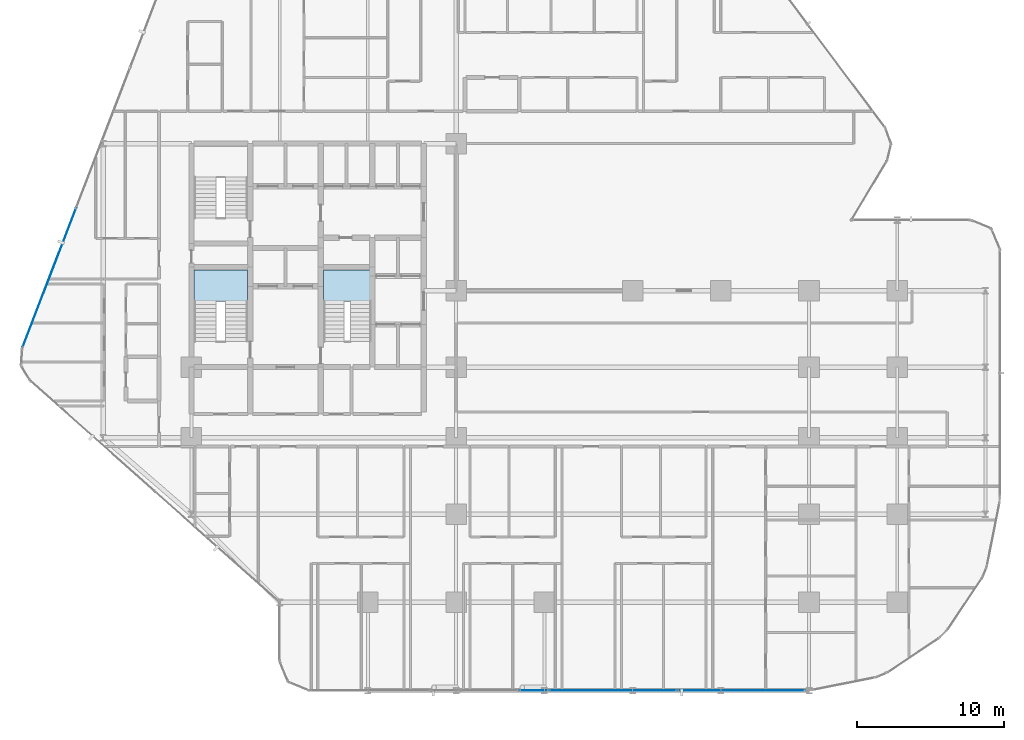
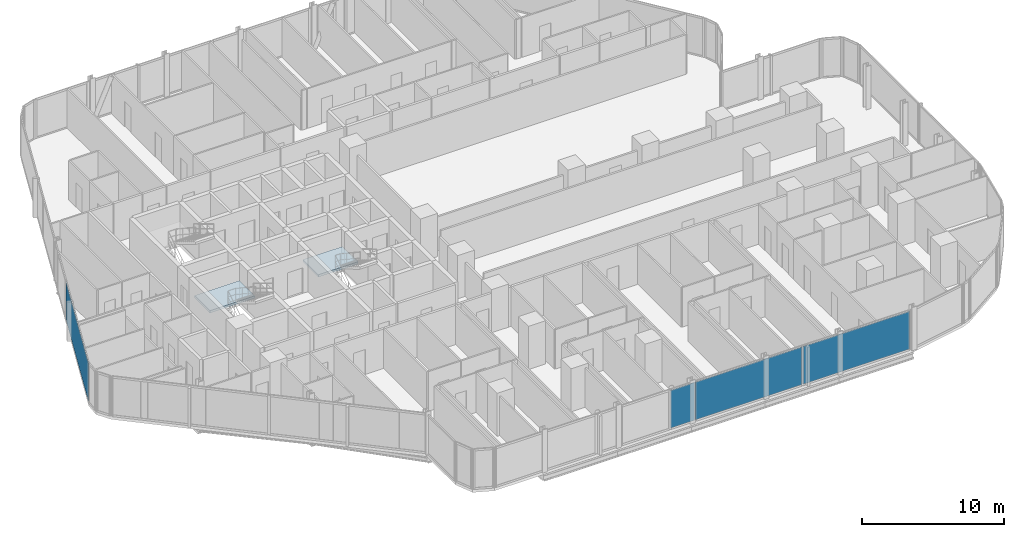
# One storey, part 21 of 35: 4 plates, 2 slabs, 5 elements without a shape of their own.
"""IFC4 building model written with IfcOpenShell, lengths in metres."""

from ifc_helpers import new_model, si_unit, direction, frame, origin, origin_2d, place, context, subcontext, project, spatial, polyline, rectangle, outline, extrude, material, layer, layer_set, type_object, element, aggregate, save


model = new_model("IFC4")

# Units and contexts
model_context = context("Model", 3, precision=1e-05, world=origin(), true_north=direction((0.0, 1.0)))
body_context = subcontext(model_context, "Body", "Model", "MODEL_VIEW")
ifc_project = project(units=[si_unit("LENGTHUNIT", "METRE"), si_unit("AREAUNIT", "SQUARE_METRE"), si_unit("VOLUMEUNIT", "CUBIC_METRE"), si_unit("PLANEANGLEUNIT", "RADIAN"), si_unit("MASSUNIT", "GRAM", prefix="KILO")], contexts=[model_context])

# Site, building, storey
site_placement = place(None, origin())
site = spatial("IfcSite", under=ifc_project, at=site_placement, CompositionType="ELEMENT")
building_placement = place(site_placement, origin())
building = spatial("IfcBuilding", under=site, at=building_placement, Name="Keshet Zoharim Tower", CompositionType="ELEMENT")
storey_placement = place(building_placement, frame((0.0, 0.0, 24.0)))
storey = spatial("IfcBuildingStorey", under=building, at=storey_placement, Name="L04", CompositionType="ELEMENT", Elevation=24.0)

# Curtain wall, plate
ifc_material_1 = material(Name="Aluminium 6063-T6", Category="aluminium")
ifc_layer_1 = layer(ifc_material_1, 0.179931640625)
ifc_layer_set_1 = layer_set([ifc_layer_1], Name="Aluminium 6063-T6")
curtain_wall_type = type_object("IfcCurtainWallType", Name="CW-SYS-01", PredefinedType="NOTDEFINED", material=ifc_layer_set_1)
curtain_wall_1_placement = place(storey_placement, origin())
curtain_wall_1 = element("IfcCurtainWall", 1, at=curtain_wall_1_placement, inside=storey, type_object=curtain_wall_type, Name="L04 Unitised Curtain Wall 04", PredefinedType="NOTDEFINED")
ifc_material_2 = material(Name="Insulated Low-E Clear Glass", Category="glass")
ifc_layer_2 = layer(ifc_material_2, 0.035888671875)
ifc_layer_set_2 = layer_set([ifc_layer_2], Name="Insulated Low-E Clear Glass")
plate_type_1 = type_object("IfcPlateType", Name="CWP-01", PredefinedType="CURTAIN_PANEL", material=ifc_layer_set_2)
plate_1_placement = place(storey_placement, frame((5.33837890625, 28.7802734375, 0.06982421875), z_axis=(0.0, 0.0, 1.0), x_axis=(0.358990003907, 0.933341404361, 0.0)))
plate_1 = element("IfcPlate", 2, at=plate_1_placement, type_object=plate_type_1, Name="CW-01 panel 1.1", PredefinedType="CURTAIN_PANEL", context=body_context, shape_type="SweptSolid", body=[
    extrude(rectangle(XDim=10.1181640625, YDim=0.035888671875, at=origin_2d()), origin(), (0.0, 0.0, 1.0), 3.2451171875),
])
aggregate(curtain_wall_1, [plate_1])

# Curtain wall, plates
curtain_wall_2_placement = place(storey_placement, origin())
curtain_wall_2 = element("IfcCurtainWall", 3, at=curtain_wall_2_placement, inside=storey, type_object=curtain_wall_type, Name="L04 Unitised Curtain Wall 26", PredefinedType="NOTDEFINED")
plate_2_placement = place(storey_placement, frame((52.400390625, 0.699951171875, 0.06982421875), z_axis=(0.0, 0.0, 1.0), x_axis=(-1.0, 0.0, 0.0)))
plate_2 = element("IfcPlate", 4, at=plate_2_placement, type_object=plate_type_1, Name="CW-01 panel 1.1", PredefinedType="CURTAIN_PANEL", context=body_context, shape_type="SweptSolid", body=[
    extrude(rectangle(XDim=8.665283203125, YDim=0.035888671875, at=origin_2d()), origin(), (0.0, 0.0, 1.0), 3.2451171875),
])
plate_3_placement = place(storey_placement, frame((43.665283203125, 0.699951171875, 0.06982421875), z_axis=(0.0, 0.0, 1.0), x_axis=(-1.0, 0.0, 0.0)))
plate_3 = element("IfcPlate", 5, at=plate_3_placement, type_object=plate_type_1, Name="CW-01 panel 2.1", PredefinedType="CURTAIN_PANEL", context=body_context, shape_type="SweptSolid", body=[
    extrude(rectangle(XDim=8.665283203125, YDim=0.035888671875, at=origin_2d()), origin(), (0.0, 0.0, 1.0), 3.2451171875),
])
aggregate(curtain_wall_2, [plate_2, plate_3])

# Curtain wall, plate
curtain_wall_3_placement = place(storey_placement, origin())
curtain_wall_3 = element("IfcCurtainWall", 6, at=curtain_wall_3_placement, inside=storey, type_object=curtain_wall_type, Name="L04 Unitised Curtain Wall 26 Part 2", PredefinedType="NOTDEFINED")
ifc_material_3 = material(Name="Insulated Aluminium Spandrel Panel", Category="aluminium")
ifc_layer_3 = layer(ifc_material_3, 0.035888671875)
ifc_layer_set_3 = layer_set([ifc_layer_3], Name="Insulated Aluminium Spandrel Panel")
plate_type_2 = type_object("IfcPlateType", Name="CWP-04", PredefinedType="CURTAIN_PANEL", material=ifc_layer_set_3)
plate_4_placement = place(storey_placement, frame((38.284912109375, 0.699951171875, 0.06982421875), z_axis=(0.0, 0.0, 1.0), x_axis=(-1.0, 0.0, 0.0)))
plate_4 = element("IfcPlate", 7, at=plate_4_placement, type_object=plate_type_2, Name="CW-01 spandrel panel 1.1", PredefinedType="CURTAIN_PANEL", context=body_context, shape_type="SweptSolid", body=[
    extrude(rectangle(XDim=1.955078125, YDim=0.035888671875, at=origin_2d()), origin(), (0.0, 0.0, 1.0), 3.2451171875),
])
aggregate(curtain_wall_3, [plate_4])

# Stair, slab
ifc_material_4 = material(Name="Concrete C50/60", Category="concrete")
stair_type = type_object("IfcStairType", Name="STR-EXIT-135", PredefinedType="HALF_TURN_STAIR", material=ifc_material_4)
stair_1_placement = place(storey_placement, origin())
stair_1 = element("IfcStair", 8, at=stair_1_placement, inside=storey, type_object=stair_type, Name="L04 Enclosed Exit Stair ST-01", PredefinedType="HALF_TURN_STAIR")
ifc_layer_4 = layer(ifc_material_4, 0.199951171875)
ifc_layer_set_4 = layer_set([ifc_layer_4], Name="Concrete C50/60")
slab_type = type_object("IfcSlabType", Name="SLB-LND-200", PredefinedType="LANDING", material=ifc_layer_set_4)
slab_1_placement = place(storey_placement, frame((0.0, 0.0, 1.64990234375)))
slab_1 = element("IfcSlab", 9, at=slab_1_placement, type_object=slab_type, Name="ST-01 landing 1", PredefinedType="LANDING", context=body_context, shape_type="SweptSolid", body=[
    extrude(outline(polyline([(15.179931640625, 27.159912109375), (18.820068359375, 27.159912109375), (18.820068359375, 29.320068359375), (15.179931640625, 29.320068359375), (15.179931640625, 27.159912109375)])), origin(), (0.0, 0.0, 1.0), 0.2001953125),
])
aggregate(stair_1, [slab_1])

stair_2_placement = place(storey_placement, origin())
stair_2 = element("IfcStair", 10, at=stair_2_placement, inside=storey, type_object=stair_type, Name="L04 Enclosed Exit Stair ST-03", PredefinedType="HALF_TURN_STAIR")
slab_2_placement = place(storey_placement, frame((0.0, 0.0, 1.64990234375)))
slab_2 = element("IfcSlab", 11, at=slab_2_placement, type_object=slab_type, Name="ST-03 landing 1", PredefinedType="LANDING", context=body_context, shape_type="SweptSolid", body=[
    extrude(outline(polyline([(23.97998046875, 27.159912109375), (27.219970703125, 27.159912109375), (27.219970703125, 29.320068359375), (23.97998046875, 29.320068359375), (23.97998046875, 27.159912109375)])), origin(), (0.0, 0.0, 1.0), 0.2001953125),
])
aggregate(stair_2, [slab_2])

save(model, "model.ifc")
